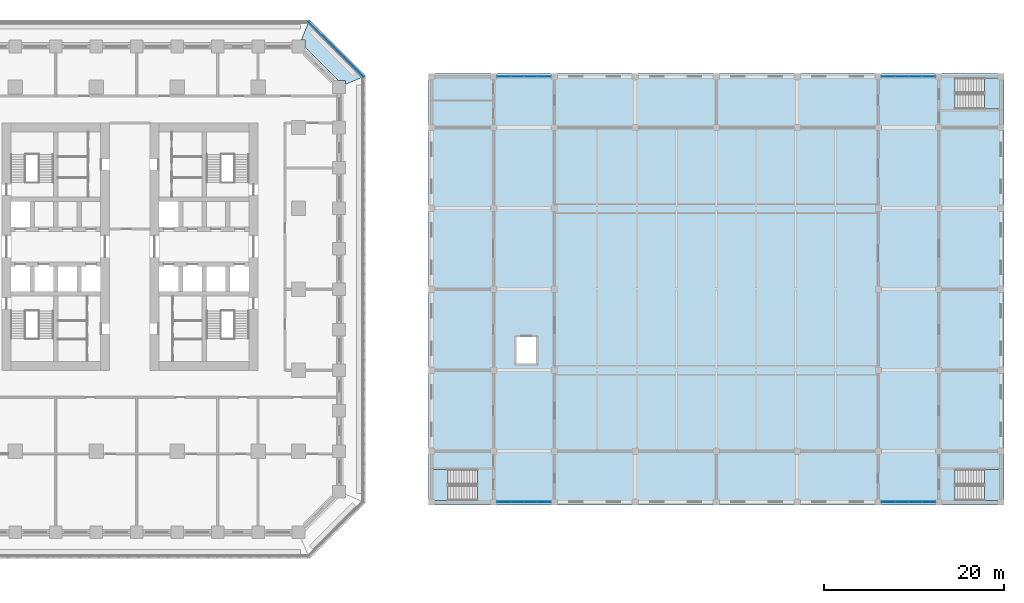
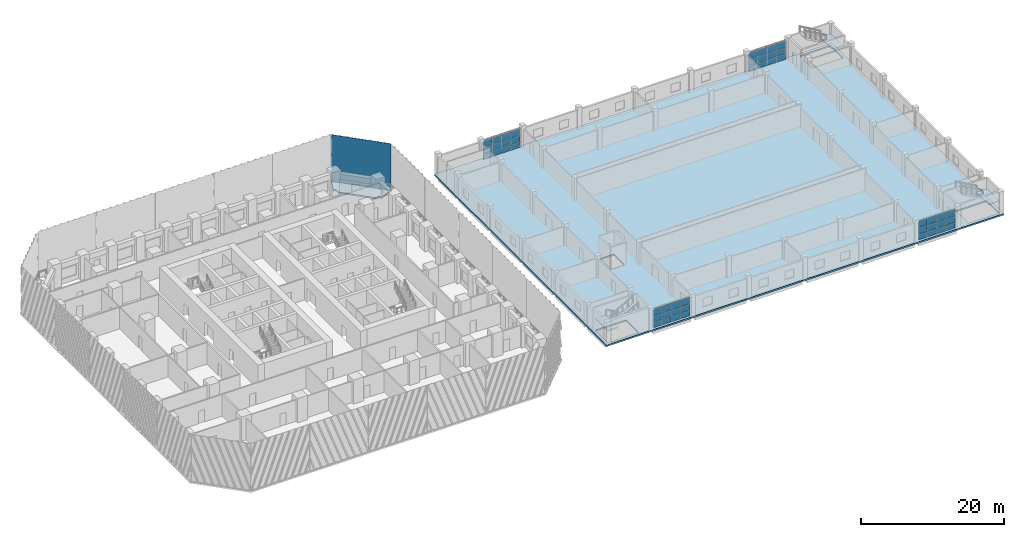
# One storey, part 10 of 31: 49 plates, 5 slabs, 7 elements without a shape of their own.
"""IFC4 building model written with IfcOpenShell, lengths in metres."""

from ifc_helpers import new_model, si_unit, direction, frame, origin, origin_2d, place, context, subcontext, project, spatial, polyline, rectangle, outline, extrude, material, layer, layer_set, type_object, element, aggregate, save


model = new_model("IFC4")

# Units and contexts
model_context = context("Model", 3, precision=1e-05, world=origin(), true_north=direction((0.0, 1.0)))
body_context = subcontext(model_context, "Body", "Model", "MODEL_VIEW")
ifc_project = project(units=[si_unit("LENGTHUNIT", "METRE"), si_unit("AREAUNIT", "SQUARE_METRE"), si_unit("VOLUMEUNIT", "CUBIC_METRE"), si_unit("PLANEANGLEUNIT", "RADIAN"), si_unit("MASSUNIT", "GRAM", prefix="KILO")], contexts=[model_context])

# Site, building, storey
site_placement = place(None, origin())
site = spatial("IfcSite", under=ifc_project, at=site_placement, CompositionType="ELEMENT")
building_placement = place(site_placement, origin())
building = spatial("IfcBuilding", under=site, at=building_placement, Name="Corbel Stack Research Tower", CompositionType="ELEMENT")
storey_placement = place(building_placement, frame((0.0, 0.0, 15.39990234375)))
storey = spatial("IfcBuildingStorey", under=building, at=storey_placement, Name="L03", CompositionType="ELEMENT", Elevation=15.39990234375)

# Curtain wall, plates
ifc_material_1 = material(Name="Aluminium", Category="aluminium")
ifc_layer_1 = layer(ifc_material_1, 0.14990234375)
ifc_layer_set_1 = layer_set([ifc_layer_1], Name="Aluminium")
curtain_wall_type = type_object("IfcCurtainWallType", Name="CW5 main facade curtain wall", PredefinedType="NOTDEFINED", material=ifc_layer_set_1)
curtain_wall_1_placement = place(storey_placement, origin())
curtain_wall_1 = element("IfcCurtainWall", 1, at=curtain_wall_1_placement, inside=storey, type_object=curtain_wall_type, Name="Main facade curtain wall L03 1", PredefinedType="NOTDEFINED")
ifc_material_2 = material(Name="Glass", Category="glass")
ifc_layer_2 = layer(ifc_material_2, 0.028076171875)
ifc_layer_set_2 = layer_set([ifc_layer_2], Name="Glass")
plate_type_1 = type_object("IfcPlateType", Name="CW5 glass panel 28", PredefinedType="CURTAIN_PANEL", material=ifc_layer_set_2)
plate_1_placement = place(storey_placement, frame((45.3212890625, -23.64990234375, 0.06005859375), z_axis=(0.0, 0.0, 1.0), x_axis=(1.0, 0.0, 0.0)))
plate_1 = element("IfcPlate", 2, at=plate_1_placement, type_object=plate_type_1, Name="CW5 panel 1.1", PredefinedType="CURTAIN_PANEL", context=body_context, shape_type="SweptSolid", body=[
    extrude(rectangle(XDim=1.422607421875, YDim=0.028076171875, at=origin_2d()), origin(), (0.0, 0.0, 1.0), 0.909912109375),
])
plate_2_placement = place(storey_placement, frame((45.3212890625, -23.64990234375, 1.030029296875), z_axis=(0.0, 0.0, 1.0), x_axis=(1.0, 0.0, 0.0)))
plate_2 = element("IfcPlate", 3, at=plate_2_placement, type_object=plate_type_1, Name="CW5 panel 1.2", PredefinedType="CURTAIN_PANEL", context=body_context, shape_type="SweptSolid", body=[
    extrude(rectangle(XDim=1.422607421875, YDim=0.028076171875, at=origin_2d()), origin(), (0.0, 0.0, 1.0), 1.0400390625),
])
plate_3_placement = place(storey_placement, frame((45.3212890625, -23.64990234375, 2.130126953125), z_axis=(0.0, 0.0, 1.0), x_axis=(1.0, 0.0, 0.0)))
plate_3 = element("IfcPlate", 4, at=plate_3_placement, type_object=plate_type_1, Name="CW5 panel 1.3", PredefinedType="CURTAIN_PANEL", context=body_context, shape_type="SweptSolid", body=[
    extrude(rectangle(XDim=1.422607421875, YDim=0.028076171875, at=origin_2d()), origin(), (0.0, 0.0, 1.0), 1.06005859375),
])
plate_4_placement = place(storey_placement, frame((46.81884765625, -23.64990234375, 0.06005859375), z_axis=(0.0, 0.0, 1.0), x_axis=(1.0, 0.0, 0.0)))
plate_4 = element("IfcPlate", 5, at=plate_4_placement, type_object=plate_type_1, Name="CW5 panel 2.1", PredefinedType="CURTAIN_PANEL", context=body_context, shape_type="SweptSolid", body=[
    extrude(rectangle(XDim=1.452392578125, YDim=0.028076171875, at=origin_2d()), origin(), (0.0, 0.0, 1.0), 0.909912109375),
])
plate_5_placement = place(storey_placement, frame((46.81884765625, -23.64990234375, 1.030029296875), z_axis=(0.0, 0.0, 1.0), x_axis=(1.0, 0.0, 0.0)))
plate_5 = element("IfcPlate", 6, at=plate_5_placement, type_object=plate_type_1, Name="CW5 panel 2.2", PredefinedType="CURTAIN_PANEL", context=body_context, shape_type="SweptSolid", body=[
    extrude(rectangle(XDim=1.452392578125, YDim=0.028076171875, at=origin_2d()), origin(), (0.0, 0.0, 1.0), 1.0400390625),
])
plate_6_placement = place(storey_placement, frame((46.81884765625, -23.64990234375, 2.130126953125), z_axis=(0.0, 0.0, 1.0), x_axis=(1.0, 0.0, 0.0)))
plate_6 = element("IfcPlate", 7, at=plate_6_placement, type_object=plate_type_1, Name="CW5 panel 2.3", PredefinedType="CURTAIN_PANEL", context=body_context, shape_type="SweptSolid", body=[
    extrude(rectangle(XDim=1.452392578125, YDim=0.028076171875, at=origin_2d()), origin(), (0.0, 0.0, 1.0), 1.06005859375),
])
plate_7_placement = place(storey_placement, frame((48.331298828125, -23.64990234375, 0.06005859375), z_axis=(0.0, 0.0, 1.0), x_axis=(1.0, 0.0, 0.0)))
plate_7 = element("IfcPlate", 8, at=plate_7_placement, type_object=plate_type_1, Name="CW5 panel 3.1", PredefinedType="CURTAIN_PANEL", context=body_context, shape_type="SweptSolid", body=[
    extrude(rectangle(XDim=1.452392578125, YDim=0.028076171875, at=origin_2d()), origin(), (0.0, 0.0, 1.0), 0.909912109375),
])
plate_8_placement = place(storey_placement, frame((48.331298828125, -23.64990234375, 1.030029296875), z_axis=(0.0, 0.0, 1.0), x_axis=(1.0, 0.0, 0.0)))
plate_8 = element("IfcPlate", 9, at=plate_8_placement, type_object=plate_type_1, Name="CW5 panel 3.2", PredefinedType="CURTAIN_PANEL", context=body_context, shape_type="SweptSolid", body=[
    extrude(rectangle(XDim=1.452392578125, YDim=0.028076171875, at=origin_2d()), origin(), (0.0, 0.0, 1.0), 1.0400390625),
])
plate_9_placement = place(storey_placement, frame((48.331298828125, -23.64990234375, 2.130126953125), z_axis=(0.0, 0.0, 1.0), x_axis=(1.0, 0.0, 0.0)))
plate_9 = element("IfcPlate", 10, at=plate_9_placement, type_object=plate_type_1, Name="CW5 panel 3.3", PredefinedType="CURTAIN_PANEL", context=body_context, shape_type="SweptSolid", body=[
    extrude(rectangle(XDim=1.452392578125, YDim=0.028076171875, at=origin_2d()), origin(), (0.0, 0.0, 1.0), 1.06005859375),
])
plate_10_placement = place(storey_placement, frame((49.828857421875, -23.64990234375, 0.06005859375), z_axis=(0.0, 0.0, 1.0), x_axis=(1.0, 0.0, 0.0)))
plate_10 = element("IfcPlate", 11, at=plate_10_placement, type_object=plate_type_1, Name="CW5 panel 4.1", PredefinedType="CURTAIN_PANEL", context=body_context, shape_type="SweptSolid", body=[
    extrude(rectangle(XDim=1.422607421875, YDim=0.028076171875, at=origin_2d()), origin(), (0.0, 0.0, 1.0), 0.909912109375),
])
plate_11_placement = place(storey_placement, frame((49.828857421875, -23.64990234375, 1.030029296875), z_axis=(0.0, 0.0, 1.0), x_axis=(1.0, 0.0, 0.0)))
plate_11 = element("IfcPlate", 12, at=plate_11_placement, type_object=plate_type_1, Name="CW5 panel 4.2", PredefinedType="CURTAIN_PANEL", context=body_context, shape_type="SweptSolid", body=[
    extrude(rectangle(XDim=1.422607421875, YDim=0.028076171875, at=origin_2d()), origin(), (0.0, 0.0, 1.0), 1.0400390625),
])
plate_12_placement = place(storey_placement, frame((49.828857421875, -23.64990234375, 2.130126953125), z_axis=(0.0, 0.0, 1.0), x_axis=(1.0, 0.0, 0.0)))
plate_12 = element("IfcPlate", 13, at=plate_12_placement, type_object=plate_type_1, Name="CW5 panel 4.3", PredefinedType="CURTAIN_PANEL", context=body_context, shape_type="SweptSolid", body=[
    extrude(rectangle(XDim=1.422607421875, YDim=0.028076171875, at=origin_2d()), origin(), (0.0, 0.0, 1.0), 1.06005859375),
])
aggregate(curtain_wall_1, [plate_1, plate_2, plate_3, plate_4, plate_5, plate_6, plate_7, plate_8, plate_9, plate_10, plate_11, plate_12])

curtain_wall_2_placement = place(storey_placement, origin())
curtain_wall_2 = element("IfcCurtainWall", 14, at=curtain_wall_2_placement, inside=storey, type_object=curtain_wall_type, Name="Main facade curtain wall L03 2", PredefinedType="NOTDEFINED")
plate_13_placement = place(storey_placement, frame((45.3212890625, 23.64990234375, 0.06005859375), z_axis=(0.0, 0.0, 1.0), x_axis=(1.0, 0.0, 0.0)))
plate_13 = element("IfcPlate", 15, at=plate_13_placement, type_object=plate_type_1, Name="CW5 panel 1.1", PredefinedType="CURTAIN_PANEL", context=body_context, shape_type="SweptSolid", body=[
    extrude(rectangle(XDim=1.422607421875, YDim=0.028076171875, at=origin_2d()), origin(), (0.0, 0.0, 1.0), 0.909912109375),
])
plate_14_placement = place(storey_placement, frame((45.3212890625, 23.64990234375, 1.030029296875), z_axis=(0.0, 0.0, 1.0), x_axis=(1.0, 0.0, 0.0)))
plate_14 = element("IfcPlate", 16, at=plate_14_placement, type_object=plate_type_1, Name="CW5 panel 1.2", PredefinedType="CURTAIN_PANEL", context=body_context, shape_type="SweptSolid", body=[
    extrude(rectangle(XDim=1.422607421875, YDim=0.028076171875, at=origin_2d()), origin(), (0.0, 0.0, 1.0), 1.0400390625),
])
plate_15_placement = place(storey_placement, frame((45.3212890625, 23.64990234375, 2.130126953125), z_axis=(0.0, 0.0, 1.0), x_axis=(1.0, 0.0, 0.0)))
plate_15 = element("IfcPlate", 17, at=plate_15_placement, type_object=plate_type_1, Name="CW5 panel 1.3", PredefinedType="CURTAIN_PANEL", context=body_context, shape_type="SweptSolid", body=[
    extrude(rectangle(XDim=1.422607421875, YDim=0.028076171875, at=origin_2d()), origin(), (0.0, 0.0, 1.0), 1.06005859375),
])
plate_16_placement = place(storey_placement, frame((46.81884765625, 23.64990234375, 0.06005859375), z_axis=(0.0, 0.0, 1.0), x_axis=(1.0, 0.0, 0.0)))
plate_16 = element("IfcPlate", 18, at=plate_16_placement, type_object=plate_type_1, Name="CW5 panel 2.1", PredefinedType="CURTAIN_PANEL", context=body_context, shape_type="SweptSolid", body=[
    extrude(rectangle(XDim=1.452392578125, YDim=0.028076171875, at=origin_2d()), origin(), (0.0, 0.0, 1.0), 0.909912109375),
])
plate_17_placement = place(storey_placement, frame((46.81884765625, 23.64990234375, 1.030029296875), z_axis=(0.0, 0.0, 1.0), x_axis=(1.0, 0.0, 0.0)))
plate_17 = element("IfcPlate", 19, at=plate_17_placement, type_object=plate_type_1, Name="CW5 panel 2.2", PredefinedType="CURTAIN_PANEL", context=body_context, shape_type="SweptSolid", body=[
    extrude(rectangle(XDim=1.452392578125, YDim=0.028076171875, at=origin_2d()), origin(), (0.0, 0.0, 1.0), 1.0400390625),
])
plate_18_placement = place(storey_placement, frame((46.81884765625, 23.64990234375, 2.130126953125), z_axis=(0.0, 0.0, 1.0), x_axis=(1.0, 0.0, 0.0)))
plate_18 = element("IfcPlate", 20, at=plate_18_placement, type_object=plate_type_1, Name="CW5 panel 2.3", PredefinedType="CURTAIN_PANEL", context=body_context, shape_type="SweptSolid", body=[
    extrude(rectangle(XDim=1.452392578125, YDim=0.028076171875, at=origin_2d()), origin(), (0.0, 0.0, 1.0), 1.06005859375),
])
plate_19_placement = place(storey_placement, frame((48.331298828125, 23.64990234375, 0.06005859375), z_axis=(0.0, 0.0, 1.0), x_axis=(1.0, 0.0, 0.0)))
plate_19 = element("IfcPlate", 21, at=plate_19_placement, type_object=plate_type_1, Name="CW5 panel 3.1", PredefinedType="CURTAIN_PANEL", context=body_context, shape_type="SweptSolid", body=[
    extrude(rectangle(XDim=1.452392578125, YDim=0.028076171875, at=origin_2d()), origin(), (0.0, 0.0, 1.0), 0.909912109375),
])
plate_20_placement = place(storey_placement, frame((48.331298828125, 23.64990234375, 1.030029296875), z_axis=(0.0, 0.0, 1.0), x_axis=(1.0, 0.0, 0.0)))
plate_20 = element("IfcPlate", 22, at=plate_20_placement, type_object=plate_type_1, Name="CW5 panel 3.2", PredefinedType="CURTAIN_PANEL", context=body_context, shape_type="SweptSolid", body=[
    extrude(rectangle(XDim=1.452392578125, YDim=0.028076171875, at=origin_2d()), origin(), (0.0, 0.0, 1.0), 1.0400390625),
])
plate_21_placement = place(storey_placement, frame((48.331298828125, 23.64990234375, 2.130126953125), z_axis=(0.0, 0.0, 1.0), x_axis=(1.0, 0.0, 0.0)))
plate_21 = element("IfcPlate", 23, at=plate_21_placement, type_object=plate_type_1, Name="CW5 panel 3.3", PredefinedType="CURTAIN_PANEL", context=body_context, shape_type="SweptSolid", body=[
    extrude(rectangle(XDim=1.452392578125, YDim=0.028076171875, at=origin_2d()), origin(), (0.0, 0.0, 1.0), 1.06005859375),
])
plate_22_placement = place(storey_placement, frame((49.828857421875, 23.64990234375, 0.06005859375), z_axis=(0.0, 0.0, 1.0), x_axis=(1.0, 0.0, 0.0)))
plate_22 = element("IfcPlate", 24, at=plate_22_placement, type_object=plate_type_1, Name="CW5 panel 4.1", PredefinedType="CURTAIN_PANEL", context=body_context, shape_type="SweptSolid", body=[
    extrude(rectangle(XDim=1.422607421875, YDim=0.028076171875, at=origin_2d()), origin(), (0.0, 0.0, 1.0), 0.909912109375),
])
plate_23_placement = place(storey_placement, frame((49.828857421875, 23.64990234375, 1.030029296875), z_axis=(0.0, 0.0, 1.0), x_axis=(1.0, 0.0, 0.0)))
plate_23 = element("IfcPlate", 25, at=plate_23_placement, type_object=plate_type_1, Name="CW5 panel 4.2", PredefinedType="CURTAIN_PANEL", context=body_context, shape_type="SweptSolid", body=[
    extrude(rectangle(XDim=1.422607421875, YDim=0.028076171875, at=origin_2d()), origin(), (0.0, 0.0, 1.0), 1.0400390625),
])
plate_24_placement = place(storey_placement, frame((49.828857421875, 23.64990234375, 2.130126953125), z_axis=(0.0, 0.0, 1.0), x_axis=(1.0, 0.0, 0.0)))
plate_24 = element("IfcPlate", 26, at=plate_24_placement, type_object=plate_type_1, Name="CW5 panel 4.3", PredefinedType="CURTAIN_PANEL", context=body_context, shape_type="SweptSolid", body=[
    extrude(rectangle(XDim=1.422607421875, YDim=0.028076171875, at=origin_2d()), origin(), (0.0, 0.0, 1.0), 1.06005859375),
])
aggregate(curtain_wall_2, [plate_13, plate_14, plate_15, plate_16, plate_17, plate_18, plate_19, plate_20, plate_21, plate_22, plate_23, plate_24])

curtain_wall_3_placement = place(storey_placement, origin())
curtain_wall_3 = element("IfcCurtainWall", 27, at=curtain_wall_3_placement, inside=storey, type_object=curtain_wall_type, Name="Main facade curtain wall L03 3", PredefinedType="NOTDEFINED")
plate_25_placement = place(storey_placement, frame((88.0712890625, -23.64990234375, 0.06005859375), z_axis=(0.0, 0.0, 1.0), x_axis=(1.0, 0.0, 0.0)))
plate_25 = element("IfcPlate", 28, at=plate_25_placement, type_object=plate_type_1, Name="CW5 panel 1.1", PredefinedType="CURTAIN_PANEL", context=body_context, shape_type="SweptSolid", body=[
    extrude(rectangle(XDim=1.422607421875, YDim=0.028076171875, at=origin_2d()), origin(), (0.0, 0.0, 1.0), 0.909912109375),
])
plate_26_placement = place(storey_placement, frame((88.0712890625, -23.64990234375, 1.030029296875), z_axis=(0.0, 0.0, 1.0), x_axis=(1.0, 0.0, 0.0)))
plate_26 = element("IfcPlate", 29, at=plate_26_placement, type_object=plate_type_1, Name="CW5 panel 1.2", PredefinedType="CURTAIN_PANEL", context=body_context, shape_type="SweptSolid", body=[
    extrude(rectangle(XDim=1.422607421875, YDim=0.028076171875, at=origin_2d()), origin(), (0.0, 0.0, 1.0), 1.0400390625),
])
plate_27_placement = place(storey_placement, frame((88.0712890625, -23.64990234375, 2.130126953125), z_axis=(0.0, 0.0, 1.0), x_axis=(1.0, 0.0, 0.0)))
plate_27 = element("IfcPlate", 30, at=plate_27_placement, type_object=plate_type_1, Name="CW5 panel 1.3", PredefinedType="CURTAIN_PANEL", context=body_context, shape_type="SweptSolid", body=[
    extrude(rectangle(XDim=1.422607421875, YDim=0.028076171875, at=origin_2d()), origin(), (0.0, 0.0, 1.0), 1.06005859375),
])
plate_28_placement = place(storey_placement, frame((89.56884765625, -23.64990234375, 0.06005859375), z_axis=(0.0, 0.0, 1.0), x_axis=(1.0, 0.0, 0.0)))
plate_28 = element("IfcPlate", 31, at=plate_28_placement, type_object=plate_type_1, Name="CW5 panel 2.1", PredefinedType="CURTAIN_PANEL", context=body_context, shape_type="SweptSolid", body=[
    extrude(rectangle(XDim=1.452392578125, YDim=0.028076171875, at=origin_2d()), origin(), (0.0, 0.0, 1.0), 0.909912109375),
])
plate_29_placement = place(storey_placement, frame((89.56884765625, -23.64990234375, 1.030029296875), z_axis=(0.0, 0.0, 1.0), x_axis=(1.0, 0.0, 0.0)))
plate_29 = element("IfcPlate", 32, at=plate_29_placement, type_object=plate_type_1, Name="CW5 panel 2.2", PredefinedType="CURTAIN_PANEL", context=body_context, shape_type="SweptSolid", body=[
    extrude(rectangle(XDim=1.452392578125, YDim=0.028076171875, at=origin_2d()), origin(), (0.0, 0.0, 1.0), 1.0400390625),
])
plate_30_placement = place(storey_placement, frame((89.56884765625, -23.64990234375, 2.130126953125), z_axis=(0.0, 0.0, 1.0), x_axis=(1.0, 0.0, 0.0)))
plate_30 = element("IfcPlate", 33, at=plate_30_placement, type_object=plate_type_1, Name="CW5 panel 2.3", PredefinedType="CURTAIN_PANEL", context=body_context, shape_type="SweptSolid", body=[
    extrude(rectangle(XDim=1.452392578125, YDim=0.028076171875, at=origin_2d()), origin(), (0.0, 0.0, 1.0), 1.06005859375),
])
plate_31_placement = place(storey_placement, frame((91.081298828125, -23.64990234375, 0.06005859375), z_axis=(0.0, 0.0, 1.0), x_axis=(1.0, 0.0, 0.0)))
plate_31 = element("IfcPlate", 34, at=plate_31_placement, type_object=plate_type_1, Name="CW5 panel 3.1", PredefinedType="CURTAIN_PANEL", context=body_context, shape_type="SweptSolid", body=[
    extrude(rectangle(XDim=1.452392578125, YDim=0.028076171875, at=origin_2d()), origin(), (0.0, 0.0, 1.0), 0.909912109375),
])
plate_32_placement = place(storey_placement, frame((91.081298828125, -23.64990234375, 1.030029296875), z_axis=(0.0, 0.0, 1.0), x_axis=(1.0, 0.0, 0.0)))
plate_32 = element("IfcPlate", 35, at=plate_32_placement, type_object=plate_type_1, Name="CW5 panel 3.2", PredefinedType="CURTAIN_PANEL", context=body_context, shape_type="SweptSolid", body=[
    extrude(rectangle(XDim=1.452392578125, YDim=0.028076171875, at=origin_2d()), origin(), (0.0, 0.0, 1.0), 1.0400390625),
])
plate_33_placement = place(storey_placement, frame((91.081298828125, -23.64990234375, 2.130126953125), z_axis=(0.0, 0.0, 1.0), x_axis=(1.0, 0.0, 0.0)))
plate_33 = element("IfcPlate", 36, at=plate_33_placement, type_object=plate_type_1, Name="CW5 panel 3.3", PredefinedType="CURTAIN_PANEL", context=body_context, shape_type="SweptSolid", body=[
    extrude(rectangle(XDim=1.452392578125, YDim=0.028076171875, at=origin_2d()), origin(), (0.0, 0.0, 1.0), 1.06005859375),
])
plate_34_placement = place(storey_placement, frame((92.578857421875, -23.64990234375, 0.06005859375), z_axis=(0.0, 0.0, 1.0), x_axis=(1.0, 0.0, 0.0)))
plate_34 = element("IfcPlate", 37, at=plate_34_placement, type_object=plate_type_1, Name="CW5 panel 4.1", PredefinedType="CURTAIN_PANEL", context=body_context, shape_type="SweptSolid", body=[
    extrude(rectangle(XDim=1.422607421875, YDim=0.028076171875, at=origin_2d()), origin(), (0.0, 0.0, 1.0), 0.909912109375),
])
plate_35_placement = place(storey_placement, frame((92.578857421875, -23.64990234375, 1.030029296875), z_axis=(0.0, 0.0, 1.0), x_axis=(1.0, 0.0, 0.0)))
plate_35 = element("IfcPlate", 38, at=plate_35_placement, type_object=plate_type_1, Name="CW5 panel 4.2", PredefinedType="CURTAIN_PANEL", context=body_context, shape_type="SweptSolid", body=[
    extrude(rectangle(XDim=1.422607421875, YDim=0.028076171875, at=origin_2d()), origin(), (0.0, 0.0, 1.0), 1.0400390625),
])
plate_36_placement = place(storey_placement, frame((92.578857421875, -23.64990234375, 2.130126953125), z_axis=(0.0, 0.0, 1.0), x_axis=(1.0, 0.0, 0.0)))
plate_36 = element("IfcPlate", 39, at=plate_36_placement, type_object=plate_type_1, Name="CW5 panel 4.3", PredefinedType="CURTAIN_PANEL", context=body_context, shape_type="SweptSolid", body=[
    extrude(rectangle(XDim=1.422607421875, YDim=0.028076171875, at=origin_2d()), origin(), (0.0, 0.0, 1.0), 1.06005859375),
])
aggregate(curtain_wall_3, [plate_25, plate_26, plate_27, plate_28, plate_29, plate_30, plate_31, plate_32, plate_33, plate_34, plate_35, plate_36])

curtain_wall_4_placement = place(storey_placement, origin())
curtain_wall_4 = element("IfcCurtainWall", 40, at=curtain_wall_4_placement, inside=storey, type_object=curtain_wall_type, Name="Main facade curtain wall L03 4", PredefinedType="NOTDEFINED")
plate_37_placement = place(storey_placement, frame((88.0712890625, 23.64990234375, 0.06005859375), z_axis=(0.0, 0.0, 1.0), x_axis=(1.0, 0.0, 0.0)))
plate_37 = element("IfcPlate", 41, at=plate_37_placement, type_object=plate_type_1, Name="CW5 panel 1.1", PredefinedType="CURTAIN_PANEL", context=body_context, shape_type="SweptSolid", body=[
    extrude(rectangle(XDim=1.422607421875, YDim=0.028076171875, at=origin_2d()), origin(), (0.0, 0.0, 1.0), 0.909912109375),
])
plate_38_placement = place(storey_placement, frame((88.0712890625, 23.64990234375, 1.030029296875), z_axis=(0.0, 0.0, 1.0), x_axis=(1.0, 0.0, 0.0)))
plate_38 = element("IfcPlate", 42, at=plate_38_placement, type_object=plate_type_1, Name="CW5 panel 1.2", PredefinedType="CURTAIN_PANEL", context=body_context, shape_type="SweptSolid", body=[
    extrude(rectangle(XDim=1.422607421875, YDim=0.028076171875, at=origin_2d()), origin(), (0.0, 0.0, 1.0), 1.0400390625),
])
plate_39_placement = place(storey_placement, frame((88.0712890625, 23.64990234375, 2.130126953125), z_axis=(0.0, 0.0, 1.0), x_axis=(1.0, 0.0, 0.0)))
plate_39 = element("IfcPlate", 43, at=plate_39_placement, type_object=plate_type_1, Name="CW5 panel 1.3", PredefinedType="CURTAIN_PANEL", context=body_context, shape_type="SweptSolid", body=[
    extrude(rectangle(XDim=1.422607421875, YDim=0.028076171875, at=origin_2d()), origin(), (0.0, 0.0, 1.0), 1.06005859375),
])
plate_40_placement = place(storey_placement, frame((89.56884765625, 23.64990234375, 0.06005859375), z_axis=(0.0, 0.0, 1.0), x_axis=(1.0, 0.0, 0.0)))
plate_40 = element("IfcPlate", 44, at=plate_40_placement, type_object=plate_type_1, Name="CW5 panel 2.1", PredefinedType="CURTAIN_PANEL", context=body_context, shape_type="SweptSolid", body=[
    extrude(rectangle(XDim=1.452392578125, YDim=0.028076171875, at=origin_2d()), origin(), (0.0, 0.0, 1.0), 0.909912109375),
])
plate_41_placement = place(storey_placement, frame((89.56884765625, 23.64990234375, 1.030029296875), z_axis=(0.0, 0.0, 1.0), x_axis=(1.0, 0.0, 0.0)))
plate_41 = element("IfcPlate", 45, at=plate_41_placement, type_object=plate_type_1, Name="CW5 panel 2.2", PredefinedType="CURTAIN_PANEL", context=body_context, shape_type="SweptSolid", body=[
    extrude(rectangle(XDim=1.452392578125, YDim=0.028076171875, at=origin_2d()), origin(), (0.0, 0.0, 1.0), 1.0400390625),
])
plate_42_placement = place(storey_placement, frame((89.56884765625, 23.64990234375, 2.130126953125), z_axis=(0.0, 0.0, 1.0), x_axis=(1.0, 0.0, 0.0)))
plate_42 = element("IfcPlate", 46, at=plate_42_placement, type_object=plate_type_1, Name="CW5 panel 2.3", PredefinedType="CURTAIN_PANEL", context=body_context, shape_type="SweptSolid", body=[
    extrude(rectangle(XDim=1.452392578125, YDim=0.028076171875, at=origin_2d()), origin(), (0.0, 0.0, 1.0), 1.06005859375),
])
plate_43_placement = place(storey_placement, frame((91.081298828125, 23.64990234375, 0.06005859375), z_axis=(0.0, 0.0, 1.0), x_axis=(1.0, 0.0, 0.0)))
plate_43 = element("IfcPlate", 47, at=plate_43_placement, type_object=plate_type_1, Name="CW5 panel 3.1", PredefinedType="CURTAIN_PANEL", context=body_context, shape_type="SweptSolid", body=[
    extrude(rectangle(XDim=1.452392578125, YDim=0.028076171875, at=origin_2d()), origin(), (0.0, 0.0, 1.0), 0.909912109375),
])
plate_44_placement = place(storey_placement, frame((91.081298828125, 23.64990234375, 1.030029296875), z_axis=(0.0, 0.0, 1.0), x_axis=(1.0, 0.0, 0.0)))
plate_44 = element("IfcPlate", 48, at=plate_44_placement, type_object=plate_type_1, Name="CW5 panel 3.2", PredefinedType="CURTAIN_PANEL", context=body_context, shape_type="SweptSolid", body=[
    extrude(rectangle(XDim=1.452392578125, YDim=0.028076171875, at=origin_2d()), origin(), (0.0, 0.0, 1.0), 1.0400390625),
])
plate_45_placement = place(storey_placement, frame((91.081298828125, 23.64990234375, 2.130126953125), z_axis=(0.0, 0.0, 1.0), x_axis=(1.0, 0.0, 0.0)))
plate_45 = element("IfcPlate", 49, at=plate_45_placement, type_object=plate_type_1, Name="CW5 panel 3.3", PredefinedType="CURTAIN_PANEL", context=body_context, shape_type="SweptSolid", body=[
    extrude(rectangle(XDim=1.452392578125, YDim=0.028076171875, at=origin_2d()), origin(), (0.0, 0.0, 1.0), 1.06005859375),
])
plate_46_placement = place(storey_placement, frame((92.578857421875, 23.64990234375, 0.06005859375), z_axis=(0.0, 0.0, 1.0), x_axis=(1.0, 0.0, 0.0)))
plate_46 = element("IfcPlate", 50, at=plate_46_placement, type_object=plate_type_1, Name="CW5 panel 4.1", PredefinedType="CURTAIN_PANEL", context=body_context, shape_type="SweptSolid", body=[
    extrude(rectangle(XDim=1.422607421875, YDim=0.028076171875, at=origin_2d()), origin(), (0.0, 0.0, 1.0), 0.909912109375),
])
plate_47_placement = place(storey_placement, frame((92.578857421875, 23.64990234375, 1.030029296875), z_axis=(0.0, 0.0, 1.0), x_axis=(1.0, 0.0, 0.0)))
plate_47 = element("IfcPlate", 51, at=plate_47_placement, type_object=plate_type_1, Name="CW5 panel 4.2", PredefinedType="CURTAIN_PANEL", context=body_context, shape_type="SweptSolid", body=[
    extrude(rectangle(XDim=1.422607421875, YDim=0.028076171875, at=origin_2d()), origin(), (0.0, 0.0, 1.0), 1.0400390625),
])
plate_48_placement = place(storey_placement, frame((92.578857421875, 23.64990234375, 2.130126953125), z_axis=(0.0, 0.0, 1.0), x_axis=(1.0, 0.0, 0.0)))
plate_48 = element("IfcPlate", 52, at=plate_48_placement, type_object=plate_type_1, Name="CW5 panel 4.3", PredefinedType="CURTAIN_PANEL", context=body_context, shape_type="SweptSolid", body=[
    extrude(rectangle(XDim=1.422607421875, YDim=0.028076171875, at=origin_2d()), origin(), (0.0, 0.0, 1.0), 1.06005859375),
])
aggregate(curtain_wall_4, [plate_37, plate_38, plate_39, plate_40, plate_41, plate_42, plate_43, plate_44, plate_45, plate_46, plate_47, plate_48])

# Plate
ifc_material_3 = material(Name="Fritted glass", Category="glass")
ifc_layer_3 = layer(ifc_material_3, 0.02490234375)
ifc_layer_set_3 = layer_set([ifc_layer_3], Name="Fritted glass")
plate_type_2 = type_object("IfcPlateType", Name="Fritted glass panel 25", PredefinedType="SHEET", material=ifc_layer_set_3)
plate_49_placement = place(storey_placement, frame((26.685791015625, 26.685791015625, 0.0), z_axis=(0.0, 0.0, 1.0), x_axis=(-0.707106781187, 0.707106781187, 0.0)))
element("IfcPlate", 53, at=plate_49_placement, inside=storey, type_object=plate_type_2, Name="Fritted glass L03 NE1", PredefinedType="SHEET", context=body_context, shape_type="SweptSolid", body=[
    extrude(rectangle(XDim=8.58203125, YDim=0.02490234375, at=origin_2d()), origin(), (0.0, 0.0, 1.0), 7.949951171875),
])

# Slab
ifc_material_4 = material(Name="Concrete C40/50", Category="concrete")
ifc_layer_4 = layer(ifc_material_4, 0.25)
ifc_layer_set_4 = layer_set([ifc_layer_4], Name="Concrete C40/50")
slab_type_1 = type_object("IfcSlabType", Name="HS1 floor slab 250", PredefinedType="FLOOR", material=ifc_layer_set_4)
slab_1_placement = place(storey_placement, frame((0.0, 0.0, -0.25)))
element("IfcSlab", 54, at=slab_1_placement, inside=storey, type_object=slab_type_1, Name="Hall floor slab L03", PredefinedType="FLOOR", context=body_context, shape_type="SweptSolid", body=[
    extrude(outline(polyline([(100.949951171875, -24.0), (36.949951171875, -24.0), (36.949951171875, 24.0), (100.949951171875, 24.0), (100.949951171875, -24.0)]), holes=[polyline([(95.5048828125, 23.5), (95.5048828125, 20.050048828125), (100.449951171875, 20.050048828125), (100.449951171875, 23.5), (95.5048828125, 23.5)]), polyline([(100.449951171875, -20.050048828125), (95.5048828125, -20.050048828125), (95.5048828125, -23.5), (100.449951171875, -23.5), (100.449951171875, -20.050048828125)]), polyline([(48.925048828125, -5.324951171875), (46.72509765625, -5.324951171875), (46.72509765625, -8.27490234375), (48.925048828125, -8.27490234375), (48.925048828125, -5.324951171875)]), polyline([(37.449951171875, -23.5), (42.39501953125, -23.5), (42.39501953125, -20.050048828125), (37.449951171875, -20.050048828125), (37.449951171875, -23.5)])]), origin(), (0.0, 0.0, 1.0), 0.25),
])

# Stair, slab
ifc_material_5 = material(Name="Concrete C40/50", Category="concrete")
stair_type = type_object("IfcStairType", Name="HST1 exit stair", PredefinedType="HALF_TURN_STAIR", material=ifc_material_5)
stair_1_placement = place(storey_placement, origin())
stair_1 = element("IfcStair", 55, at=stair_1_placement, inside=storey, type_object=stair_type, Name="L03 exit stair 1", PredefinedType="HALF_TURN_STAIR")
ifc_material_6 = material(Name="Concrete C40/50", Category="concrete")
ifc_layer_5 = layer(ifc_material_6, 0.199951171875)
ifc_layer_set_5 = layer_set([ifc_layer_5], Name="Concrete C40/50")
slab_type_2 = type_object("IfcSlabType", Name="HS4 stair landing 200", PredefinedType="LANDING", material=ifc_layer_set_5)
slab_2_placement = place(storey_placement, frame((0.0, 0.0, 1.85009765625)))
slab_2 = element("IfcSlab", 56, at=slab_2_placement, type_object=slab_type_2, Name="HS1 landing 1", PredefinedType="LANDING", context=body_context, shape_type="SweptSolid", body=[
    extrude(outline(polyline([(39.125, -20.050048828125), (37.449951171875, -20.050048828125), (37.449951171875, -23.5), (39.125, -23.5), (39.125, -20.050048828125)])), origin(), (0.0, 0.0, 1.0), 0.199951171875),
])
aggregate(stair_1, [slab_2])

stair_2_placement = place(storey_placement, origin())
stair_2 = element("IfcStair", 57, at=stair_2_placement, inside=storey, type_object=stair_type, Name="L03 exit stair 2", PredefinedType="HALF_TURN_STAIR")
slab_3_placement = place(storey_placement, frame((0.0, 0.0, 1.85009765625)))
slab_3 = element("IfcSlab", 58, at=slab_3_placement, type_object=slab_type_2, Name="HS2 landing 1", PredefinedType="LANDING", context=body_context, shape_type="SweptSolid", body=[
    extrude(outline(polyline([(98.77490234375, 20.050048828125), (100.449951171875, 20.050048828125), (100.449951171875, 23.5), (98.77490234375, 23.5), (98.77490234375, 20.050048828125)])), origin(), (0.0, 0.0, 1.0), 0.199951171875),
])
aggregate(stair_2, [slab_3])

stair_3_placement = place(storey_placement, origin())
stair_3 = element("IfcStair", 59, at=stair_3_placement, inside=storey, type_object=stair_type, Name="L03 exit stair 3", PredefinedType="HALF_TURN_STAIR")
slab_4_placement = place(storey_placement, frame((0.0, 0.0, 1.85009765625)))
slab_4 = element("IfcSlab", 60, at=slab_4_placement, type_object=slab_type_2, Name="HS3 landing 1", PredefinedType="LANDING", context=body_context, shape_type="SweptSolid", body=[
    extrude(outline(polyline([(98.77490234375, -23.5), (100.449951171875, -23.5), (100.449951171875, -20.050048828125), (98.77490234375, -20.050048828125), (98.77490234375, -23.5)])), origin(), (0.0, 0.0, 1.0), 0.199951171875),
])
aggregate(stair_3, [slab_4])

# Slab
ifc_material_7 = material(Name="Concrete C45/55", Category="concrete")
ifc_layer_6 = layer(ifc_material_7, 0.25)
ifc_layer_set_6 = layer_set([ifc_layer_6], Name="Concrete C45/55")
slab_type_3 = type_object("IfcSlabType", Name="PT balcony slab 250 C45/55", PredefinedType="FLOOR", material=ifc_layer_set_6)
slab_5_placement = place(storey_placement, frame((0.0, 0.0, -0.25)))
element("IfcSlab", 61, at=slab_5_placement, inside=storey, type_object=slab_type_3, Name="Loggia slab L03 NE", PredefinedType="FLOOR", context=body_context, shape_type="SweptSolid", body=[
    extrude(outline(polyline([(22.789794921875, 27.699951171875), (23.199951171875, 27.699951171875), (23.199951171875, 26.936279296875), (26.936279296875, 23.199951171875), (27.699951171875, 23.199951171875), (27.699951171875, 22.789794921875), (29.949951171875, 23.721923828125), (23.721923828125, 29.949951171875), (22.789794921875, 27.699951171875)])), origin(), (0.0, 0.0, 1.0), 0.25),
])

save(model, "model.ifc")
